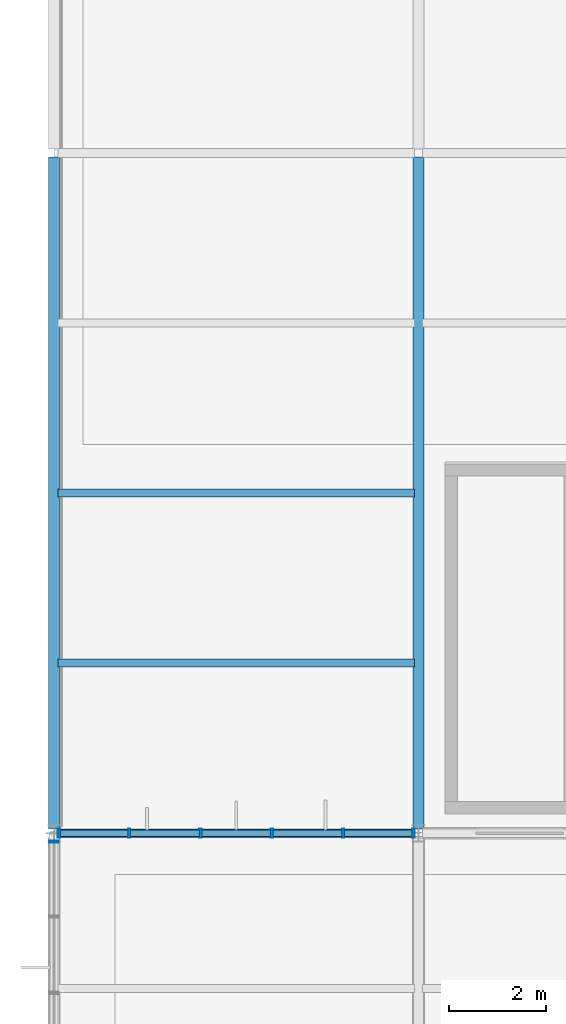
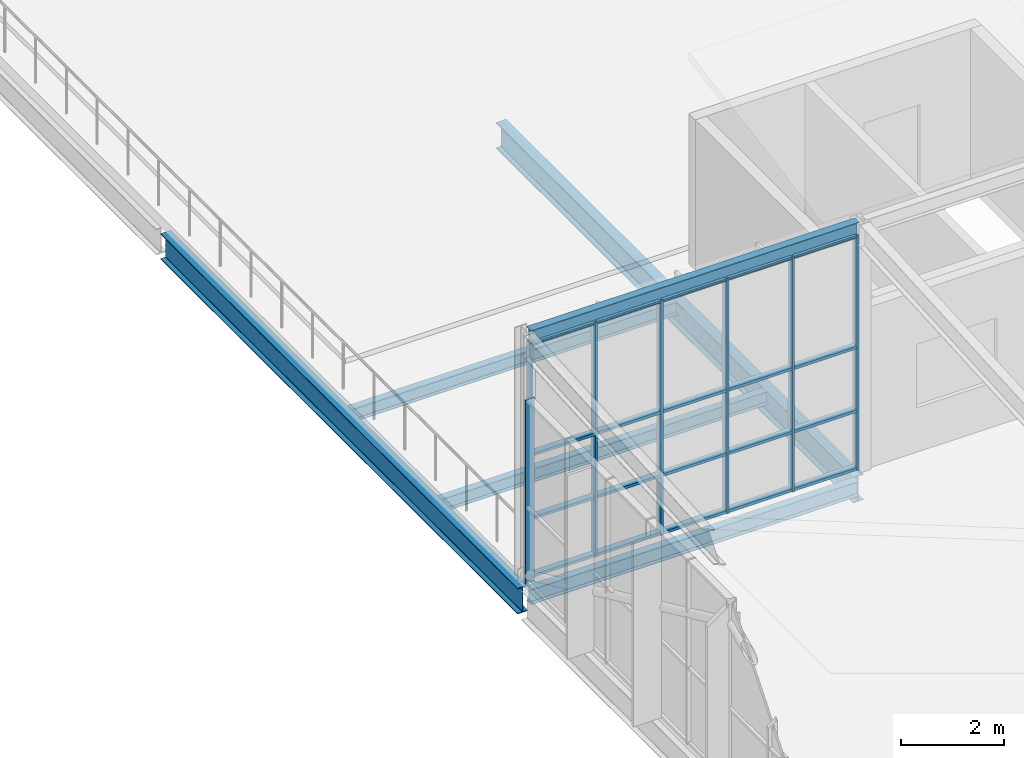
# One storey, part 18 of 104: 27 members, 6 beams, 2 elements without a shape of their own.
"""IFC4 building model written with IfcOpenShell, lengths in metres."""

from ifc_helpers import new_model, si_unit, direction, frame, origin, origin_2d, place, context, subcontext, project, spatial, hollow_rectangle, i_section, extrude, material, layer, layer_set, material_profile, profile_set, type_object, element, aggregate, save


model = new_model("IFC4")

# Units and contexts
model_context = context("Model", 3, precision=1e-05, world=origin(), true_north=direction((0.0, 1.0)))
body_context = subcontext(model_context, "Body", "Model", "MODEL_VIEW")
ifc_project = project(units=[si_unit("LENGTHUNIT", "METRE"), si_unit("AREAUNIT", "SQUARE_METRE"), si_unit("VOLUMEUNIT", "CUBIC_METRE"), si_unit("PLANEANGLEUNIT", "RADIAN"), si_unit("MASSUNIT", "GRAM", prefix="KILO")], contexts=[model_context])

# Site, building, storey
site_placement = place(None, origin())
site = spatial("IfcSite", under=ifc_project, at=site_placement, CompositionType="ELEMENT")
building_placement = place(site_placement, origin())
building = spatial("IfcBuilding", under=site, at=building_placement, Name="Solvenia Promenade Tram Depot", CompositionType="ELEMENT")
storey_placement = place(building_placement, frame((0.0, 0.0, 9.0)))
storey = spatial("IfcBuildingStorey", under=building, at=storey_placement, Name="L02", CompositionType="ELEMENT", Elevation=9.0)

# Curtain wall, members
ifc_material_1 = material(Name="Anodized aluminium AW-6063 T6", Category="aluminium")
ifc_layer_1 = layer(ifc_material_1, 0.14990234375, Name="Anodized aluminium AW-6063 T6", Category="aluminium")
ifc_layer_set_1 = layer_set([ifc_layer_1], Name="Anodized aluminium AW-6063 T6")
curtain_wall_type_1 = type_object("IfcCurtainWallType", Name="CW-Court-1500", PredefinedType="NOTDEFINED", material=ifc_layer_set_1)
curtain_wall_1_placement = place(storey_placement, origin())
curtain_wall_1 = element("IfcCurtainWall", 1, at=curtain_wall_1_placement, inside=storey, type_object=curtain_wall_type_1, Name="Curtain Wall CW-V4N-L02-01", PredefinedType="NOTDEFINED")
ifc_material_profile_1 = material_profile(ifc_material_1, hollow_rectangle(XDim=0.179931640625, YDim=0.050048828125, WallThickness=0.00390625, at=origin_2d()), Name="ALU-M2", Category="aluminium")
ifc_profile_set_1 = profile_set([ifc_material_profile_1], Name="Anodized aluminium AW-6063 T6")
member_type_1 = type_object("IfcMemberType", Name="CWM-Mullion-2", PredefinedType="MULLION", material=ifc_profile_set_1)
member_1_placement = place(storey_placement, frame((0.10498046875, 24.0, 0.0), z_axis=(0.0, 0.0, 1.0), x_axis=(0.0, 1.0, 0.0)))
member_1 = element("IfcMember", 2, at=member_1_placement, type_object=member_type_1, Name="CW-5 mullion 1", PredefinedType="MULLION", context=body_context, shape_type="SweptSolid", body=[
    extrude(hollow_rectangle(XDim=0.179931640625, YDim=0.050048828125, WallThickness=0.00390625, at=origin_2d()), origin(), (0.0, 0.0, 1.0), 5.550048828125),
])
member_2_placement = place(storey_placement, frame((1.548095703125, 24.0, 0.0), z_axis=(0.0, 0.0, 1.0), x_axis=(0.0, 1.0, 0.0)))
member_2 = element("IfcMember", 3, at=member_2_placement, type_object=member_type_1, Name="CW-5 mullion 2", PredefinedType="MULLION", context=body_context, shape_type="SweptSolid", body=[
    extrude(hollow_rectangle(XDim=0.179931640625, YDim=0.050048828125, WallThickness=0.00390625, at=origin_2d()), origin(), (0.0, 0.0, 1.0), 5.550048828125),
])
member_3_placement = place(storey_placement, frame((3.01611328125, 24.0, 0.0), z_axis=(0.0, 0.0, 1.0), x_axis=(0.0, 1.0, 0.0)))
member_3 = element("IfcMember", 4, at=member_3_placement, type_object=member_type_1, Name="CW-5 mullion 3", PredefinedType="MULLION", context=body_context, shape_type="SweptSolid", body=[
    extrude(hollow_rectangle(XDim=0.179931640625, YDim=0.050048828125, WallThickness=0.00390625, at=origin_2d()), origin(), (0.0, 0.0, 1.0), 5.550048828125),
])
member_4_placement = place(storey_placement, frame((4.48388671875, 24.0, 0.0), z_axis=(0.0, 0.0, 1.0), x_axis=(0.0, 1.0, 0.0)))
member_4 = element("IfcMember", 5, at=member_4_placement, type_object=member_type_1, Name="CW-5 mullion 4", PredefinedType="MULLION", context=body_context, shape_type="SweptSolid", body=[
    extrude(hollow_rectangle(XDim=0.179931640625, YDim=0.050048828125, WallThickness=0.00390625, at=origin_2d()), origin(), (0.0, 0.0, 1.0), 5.550048828125),
])
member_5_placement = place(storey_placement, frame((5.951904296875, 24.0, 0.0), z_axis=(0.0, 0.0, 1.0), x_axis=(0.0, 1.0, 0.0)))
member_5 = element("IfcMember", 6, at=member_5_placement, type_object=member_type_1, Name="CW-5 mullion 5", PredefinedType="MULLION", context=body_context, shape_type="SweptSolid", body=[
    extrude(hollow_rectangle(XDim=0.179931640625, YDim=0.050048828125, WallThickness=0.00390625, at=origin_2d()), origin(), (0.0, 0.0, 1.0), 5.550048828125),
])
member_6_placement = place(storey_placement, frame((7.39501953125, 24.0, 0.0), z_axis=(0.0, 0.0, 1.0), x_axis=(0.0, 1.0, 0.0)))
member_6 = element("IfcMember", 7, at=member_6_placement, type_object=member_type_1, Name="CW-5 mullion 6", PredefinedType="MULLION", context=body_context, shape_type="SweptSolid", body=[
    extrude(hollow_rectangle(XDim=0.179931640625, YDim=0.050048828125, WallThickness=0.00390625, at=origin_2d()), origin(), (0.0, 0.0, 1.0), 5.550048828125),
])

# Curtain wall, member
ifc_layer_2 = layer(ifc_material_1, 0.179931640625, Name="Anodized aluminium AW-6063 T6", Category="aluminium")
ifc_layer_set_2 = layer_set([ifc_layer_2], Name="Anodized aluminium AW-6063 T6")
curtain_wall_type_2 = type_object("IfcCurtainWallType", Name="CW-Solar-1500", PredefinedType="NOTDEFINED", material=ifc_layer_set_2)
curtain_wall_2_placement = place(storey_placement, origin())
curtain_wall_2 = element("IfcCurtainWall", 8, at=curtain_wall_2_placement, inside=storey, type_object=curtain_wall_type_2, Name="Curtain Wall CW-V4W-L02", PredefinedType="NOTDEFINED")
ifc_material_profile_2 = material_profile(ifc_material_1, hollow_rectangle(XDim=0.199951171875, YDim=0.048095703125, WallThickness=0.00390625, at=origin_2d()), Name="ALU-M3", Category="aluminium")
ifc_profile_set_2 = profile_set([ifc_material_profile_2], Name="Anodized aluminium AW-6063 T6")
member_type_2 = type_object("IfcMemberType", Name="CWM-Mullion-3", PredefinedType="MULLION", material=ifc_profile_set_2)
member_7_placement = place(storey_placement, frame((0.0, 23.825927734375, 0.0), z_axis=(0.0, 0.0, 1.0), x_axis=(-1.0, 0.0, 0.0)))
member_7 = element("IfcMember", 9, at=member_7_placement, type_object=member_type_2, Name="CW-7 mullion 11", PredefinedType="MULLION", context=body_context, shape_type="SweptSolid", body=[
    extrude(hollow_rectangle(XDim=0.199951171875, YDim=0.048095703125, WallThickness=0.00390625, at=origin_2d()), origin(), (0.0, 0.0, 1.0), 4.35009765625),
])
aggregate(curtain_wall_2, [member_7])

# Member
ifc_material_profile_3 = material_profile(ifc_material_1, hollow_rectangle(XDim=0.139892578125, YDim=0.06494140625, WallThickness=0.00390625, at=origin_2d()), Name="ALU-T2", Category="aluminium")
ifc_profile_set_3 = profile_set([ifc_material_profile_3], Name="Anodized aluminium AW-6063 T6")
member_type_3 = type_object("IfcMemberType", Name="CWT-Transom-2", PredefinedType="USERDEFINED", material=ifc_profile_set_3)
member_8_placement = place(storey_placement, frame((0.1298828125, 24.0, 0.032470703125), z_axis=(1.0, 0.0, 0.0), x_axis=(0.0, 1.0, 0.0)))
member_8 = element("IfcMember", 10, at=member_8_placement, type_object=member_type_3, Name="CW-5 transom 1.1", ObjectType="TRANSOM", PredefinedType="USERDEFINED", context=body_context, shape_type="SweptSolid", body=[
    extrude(hollow_rectangle(XDim=0.139892578125, YDim=0.06494140625, WallThickness=0.00390625, at=origin_2d()), origin(), (0.0, 0.0, 1.0), 1.39306640625),
])

member_9_placement = place(storey_placement, frame((0.1298828125, 24.0, 1.39990234375), z_axis=(1.0, 0.0, 0.0), x_axis=(0.0, 1.0, 0.0)))
member_9 = element("IfcMember", 11, at=member_9_placement, type_object=member_type_3, Name="CW-5 transom 1.2", ObjectType="TRANSOM", PredefinedType="USERDEFINED", context=body_context, shape_type="SweptSolid", body=[
    extrude(hollow_rectangle(XDim=0.139892578125, YDim=0.06494140625, WallThickness=0.00390625, at=origin_2d()), origin(), (0.0, 0.0, 1.0), 1.39306640625),
])

member_10_placement = place(storey_placement, frame((0.1298828125, 24.0, 2.89990234375), z_axis=(1.0, 0.0, 0.0), x_axis=(0.0, 1.0, 0.0)))
member_10 = element("IfcMember", 12, at=member_10_placement, type_object=member_type_3, Name="CW-5 transom 1.3", ObjectType="TRANSOM", PredefinedType="USERDEFINED", context=body_context, shape_type="SweptSolid", body=[
    extrude(hollow_rectangle(XDim=0.139892578125, YDim=0.06494140625, WallThickness=0.00390625, at=origin_2d()), origin(), (0.0, 0.0, 1.0), 1.39306640625),
])

member_11_placement = place(storey_placement, frame((0.1298828125, 24.0, 5.517578125), z_axis=(1.0, 0.0, 0.0), x_axis=(0.0, 1.0, 0.0)))
member_11 = element("IfcMember", 13, at=member_11_placement, type_object=member_type_3, Name="CW-5 transom 1.4", ObjectType="TRANSOM", PredefinedType="USERDEFINED", context=body_context, shape_type="SweptSolid", body=[
    extrude(hollow_rectangle(XDim=0.139892578125, YDim=0.06494140625, WallThickness=0.00390625, at=origin_2d()), origin(), (0.0, 0.0, 1.0), 1.39306640625),
])

member_12_placement = place(storey_placement, frame((1.572998046875, 24.0, 0.032470703125), z_axis=(1.0, 0.0, 0.0), x_axis=(0.0, 1.0, 0.0)))
member_12 = element("IfcMember", 14, at=member_12_placement, type_object=member_type_3, Name="CW-5 transom 2.1", ObjectType="TRANSOM", PredefinedType="USERDEFINED", context=body_context, shape_type="SweptSolid", body=[
    extrude(hollow_rectangle(XDim=0.139892578125, YDim=0.06494140625, WallThickness=0.00390625, at=origin_2d()), origin(), (0.0, 0.0, 1.0), 1.41796875),
])

member_13_placement = place(storey_placement, frame((1.572998046875, 24.0, 1.39990234375), z_axis=(1.0, 0.0, 0.0), x_axis=(0.0, 1.0, 0.0)))
member_13 = element("IfcMember", 15, at=member_13_placement, type_object=member_type_3, Name="CW-5 transom 2.2", ObjectType="TRANSOM", PredefinedType="USERDEFINED", context=body_context, shape_type="SweptSolid", body=[
    extrude(hollow_rectangle(XDim=0.139892578125, YDim=0.06494140625, WallThickness=0.00390625, at=origin_2d()), origin(), (0.0, 0.0, 1.0), 1.41796875),
])

member_14_placement = place(storey_placement, frame((1.572998046875, 24.0, 2.89990234375), z_axis=(1.0, 0.0, 0.0), x_axis=(0.0, 1.0, 0.0)))
member_14 = element("IfcMember", 16, at=member_14_placement, type_object=member_type_3, Name="CW-5 transom 2.3", ObjectType="TRANSOM", PredefinedType="USERDEFINED", context=body_context, shape_type="SweptSolid", body=[
    extrude(hollow_rectangle(XDim=0.139892578125, YDim=0.06494140625, WallThickness=0.00390625, at=origin_2d()), origin(), (0.0, 0.0, 1.0), 1.41796875),
])

member_15_placement = place(storey_placement, frame((1.572998046875, 24.0, 5.517578125), z_axis=(1.0, 0.0, 0.0), x_axis=(0.0, 1.0, 0.0)))
member_15 = element("IfcMember", 17, at=member_15_placement, type_object=member_type_3, Name="CW-5 transom 2.4", ObjectType="TRANSOM", PredefinedType="USERDEFINED", context=body_context, shape_type="SweptSolid", body=[
    extrude(hollow_rectangle(XDim=0.139892578125, YDim=0.06494140625, WallThickness=0.00390625, at=origin_2d()), origin(), (0.0, 0.0, 1.0), 1.41796875),
])

member_16_placement = place(storey_placement, frame((3.041015625, 24.0, 0.032470703125), z_axis=(1.0, 0.0, 0.0), x_axis=(0.0, 1.0, 0.0)))
member_16 = element("IfcMember", 18, at=member_16_placement, type_object=member_type_3, Name="CW-5 transom 3.1", ObjectType="TRANSOM", PredefinedType="USERDEFINED", context=body_context, shape_type="SweptSolid", body=[
    extrude(hollow_rectangle(XDim=0.139892578125, YDim=0.06494140625, WallThickness=0.00390625, at=origin_2d()), origin(), (0.0, 0.0, 1.0), 1.41796875),
])

member_17_placement = place(storey_placement, frame((3.041015625, 24.0, 1.39990234375), z_axis=(1.0, 0.0, 0.0), x_axis=(0.0, 1.0, 0.0)))
member_17 = element("IfcMember", 19, at=member_17_placement, type_object=member_type_3, Name="CW-5 transom 3.2", ObjectType="TRANSOM", PredefinedType="USERDEFINED", context=body_context, shape_type="SweptSolid", body=[
    extrude(hollow_rectangle(XDim=0.139892578125, YDim=0.06494140625, WallThickness=0.00390625, at=origin_2d()), origin(), (0.0, 0.0, 1.0), 1.41796875),
])

member_18_placement = place(storey_placement, frame((3.041015625, 24.0, 2.89990234375), z_axis=(1.0, 0.0, 0.0), x_axis=(0.0, 1.0, 0.0)))
member_18 = element("IfcMember", 20, at=member_18_placement, type_object=member_type_3, Name="CW-5 transom 3.3", ObjectType="TRANSOM", PredefinedType="USERDEFINED", context=body_context, shape_type="SweptSolid", body=[
    extrude(hollow_rectangle(XDim=0.139892578125, YDim=0.06494140625, WallThickness=0.00390625, at=origin_2d()), origin(), (0.0, 0.0, 1.0), 1.41796875),
])

member_19_placement = place(storey_placement, frame((3.041015625, 24.0, 5.517578125), z_axis=(1.0, 0.0, 0.0), x_axis=(0.0, 1.0, 0.0)))
member_19 = element("IfcMember", 21, at=member_19_placement, type_object=member_type_3, Name="CW-5 transom 3.4", ObjectType="TRANSOM", PredefinedType="USERDEFINED", context=body_context, shape_type="SweptSolid", body=[
    extrude(hollow_rectangle(XDim=0.139892578125, YDim=0.06494140625, WallThickness=0.00390625, at=origin_2d()), origin(), (0.0, 0.0, 1.0), 1.41796875),
])

member_20_placement = place(storey_placement, frame((4.509033203125, 24.0, 0.032470703125), z_axis=(1.0, 0.0, 0.0), x_axis=(0.0, 1.0, 0.0)))
member_20 = element("IfcMember", 22, at=member_20_placement, type_object=member_type_3, Name="CW-5 transom 4.1", ObjectType="TRANSOM", PredefinedType="USERDEFINED", context=body_context, shape_type="SweptSolid", body=[
    extrude(hollow_rectangle(XDim=0.139892578125, YDim=0.06494140625, WallThickness=0.00390625, at=origin_2d()), origin(), (0.0, 0.0, 1.0), 1.41796875),
])

member_21_placement = place(storey_placement, frame((4.509033203125, 24.0, 1.39990234375), z_axis=(1.0, 0.0, 0.0), x_axis=(0.0, 1.0, 0.0)))
member_21 = element("IfcMember", 23, at=member_21_placement, type_object=member_type_3, Name="CW-5 transom 4.2", ObjectType="TRANSOM", PredefinedType="USERDEFINED", context=body_context, shape_type="SweptSolid", body=[
    extrude(hollow_rectangle(XDim=0.139892578125, YDim=0.06494140625, WallThickness=0.00390625, at=origin_2d()), origin(), (0.0, 0.0, 1.0), 1.41796875),
])

member_22_placement = place(storey_placement, frame((4.509033203125, 24.0, 2.89990234375), z_axis=(1.0, 0.0, 0.0), x_axis=(0.0, 1.0, 0.0)))
member_22 = element("IfcMember", 24, at=member_22_placement, type_object=member_type_3, Name="CW-5 transom 4.3", ObjectType="TRANSOM", PredefinedType="USERDEFINED", context=body_context, shape_type="SweptSolid", body=[
    extrude(hollow_rectangle(XDim=0.139892578125, YDim=0.06494140625, WallThickness=0.00390625, at=origin_2d()), origin(), (0.0, 0.0, 1.0), 1.41796875),
])

member_23_placement = place(storey_placement, frame((4.509033203125, 24.0, 5.517578125), z_axis=(1.0, 0.0, 0.0), x_axis=(0.0, 1.0, 0.0)))
member_23 = element("IfcMember", 25, at=member_23_placement, type_object=member_type_3, Name="CW-5 transom 4.4", ObjectType="TRANSOM", PredefinedType="USERDEFINED", context=body_context, shape_type="SweptSolid", body=[
    extrude(hollow_rectangle(XDim=0.139892578125, YDim=0.06494140625, WallThickness=0.00390625, at=origin_2d()), origin(), (0.0, 0.0, 1.0), 1.41796875),
])

member_24_placement = place(storey_placement, frame((5.97705078125, 24.0, 0.032470703125), z_axis=(1.0, 0.0, 0.0), x_axis=(0.0, 1.0, 0.0)))
member_24 = element("IfcMember", 26, at=member_24_placement, type_object=member_type_3, Name="CW-5 transom 5.1", ObjectType="TRANSOM", PredefinedType="USERDEFINED", context=body_context, shape_type="SweptSolid", body=[
    extrude(hollow_rectangle(XDim=0.139892578125, YDim=0.06494140625, WallThickness=0.00390625, at=origin_2d()), origin(), (0.0, 0.0, 1.0), 1.39306640625),
])

member_25_placement = place(storey_placement, frame((5.97705078125, 24.0, 1.39990234375), z_axis=(1.0, 0.0, 0.0), x_axis=(0.0, 1.0, 0.0)))
member_25 = element("IfcMember", 27, at=member_25_placement, type_object=member_type_3, Name="CW-5 transom 5.2", ObjectType="TRANSOM", PredefinedType="USERDEFINED", context=body_context, shape_type="SweptSolid", body=[
    extrude(hollow_rectangle(XDim=0.139892578125, YDim=0.06494140625, WallThickness=0.00390625, at=origin_2d()), origin(), (0.0, 0.0, 1.0), 1.39306640625),
])

member_26_placement = place(storey_placement, frame((5.97705078125, 24.0, 2.89990234375), z_axis=(1.0, 0.0, 0.0), x_axis=(0.0, 1.0, 0.0)))
member_26 = element("IfcMember", 28, at=member_26_placement, type_object=member_type_3, Name="CW-5 transom 5.3", ObjectType="TRANSOM", PredefinedType="USERDEFINED", context=body_context, shape_type="SweptSolid", body=[
    extrude(hollow_rectangle(XDim=0.139892578125, YDim=0.06494140625, WallThickness=0.00390625, at=origin_2d()), origin(), (0.0, 0.0, 1.0), 1.39306640625),
])

member_27_placement = place(storey_placement, frame((5.97705078125, 24.0, 5.517578125), z_axis=(1.0, 0.0, 0.0), x_axis=(0.0, 1.0, 0.0)))
member_27 = element("IfcMember", 29, at=member_27_placement, type_object=member_type_3, Name="CW-5 transom 5.4", ObjectType="TRANSOM", PredefinedType="USERDEFINED", context=body_context, shape_type="SweptSolid", body=[
    extrude(hollow_rectangle(XDim=0.139892578125, YDim=0.06494140625, WallThickness=0.00390625, at=origin_2d()), origin(), (0.0, 0.0, 1.0), 1.39306640625),
])

aggregate(curtain_wall_1, [member_1, member_2, member_3, member_4, member_5, member_6, member_8, member_9, member_10, member_11, member_12, member_13, member_14, member_15, member_16, member_17, member_18, member_19, member_20, member_21, member_22, member_23, member_24, member_25, member_26, member_27])

# Beams
ifc_material_2 = material(Name="Structural steel ASTM A992 Gr. 50", Category="steel")
ifc_material_profile_4 = material_profile(ifc_material_2, i_section(OverallWidth=0.22900390625, OverallDepth=0.612060546875, WebThickness=0.011962890625, FlangeThickness=0.01953125, FilletRadius=0.014892578125, at=origin_2d()), Name="W610x125", Category="steel")
ifc_profile_set_4 = profile_set([ifc_material_profile_4], Name="Structural steel ASTM A992 Gr. 50")
beam_type_1 = type_object("IfcBeamType", Name="Gird-W610x125", PredefinedType="BEAM", material=ifc_profile_set_4)
for number, where, z_axis, x_axis, name in (
    (30, (0.0, 24.0849609375, -0.56591796875), (0.0, 1.0, 0.0), (-1.0, 0.0, 0.0), "Transverse Girder BM-L02-0668"),
    (31, (7.5, 24.0849609375, -0.56591796875), (0.0, 1.0, 0.0), (-1.0, 0.0, 0.0), "Transverse Girder BM-L02-0671"),
):
    element("IfcBeam", number, at=place(storey_placement, frame(where, z_axis=z_axis, x_axis=x_axis)), inside=storey, type_object=beam_type_1, Name=name, PredefinedType="BEAM", context=body_context, shape_type="SweptSolid", body=[
        extrude(i_section(OverallWidth=0.22900390625, OverallDepth=0.612060546875, WebThickness=0.011962890625, FlangeThickness=0.01953125, FilletRadius=0.014892578125, at=origin_2d()), origin(), (0.0, 0.0, 1.0), 13.830078125),
    ])
ifc_material_profile_5 = material_profile(ifc_material_2, i_section(OverallWidth=0.166015625, OverallDepth=0.31298828125, WebThickness=0.006591796875, FlangeThickness=0.01123046875, FilletRadius=0.010009765625, at=origin_2d()), Name="W310x45", Category="steel")
ifc_profile_set_5 = profile_set([ifc_material_profile_5], Name="Structural steel ASTM A992 Gr. 50")
beam_type_2 = type_object("IfcBeamType", Name="Joist-W310x45", PredefinedType="JOIST", material=ifc_profile_set_5)
for number, where, z_axis, x_axis, name in (
    (32, (0.0849609375, 27.5, -0.41650390625), (1.0, 0.0, 0.0), (0.0, 1.0, 0.0), "Secondary Floor Joist BM-L02-0689"),
    (33, (0.0849609375, 31.0, -0.41650390625), (1.0, 0.0, 0.0), (0.0, 1.0, 0.0), "Secondary Floor Joist BM-L02-0690"),
):
    element("IfcBeam", number, at=place(storey_placement, frame(where, z_axis=z_axis, x_axis=x_axis)), inside=storey, type_object=beam_type_2, Name=name, PredefinedType="JOIST", context=body_context, shape_type="SweptSolid", body=[
        extrude(i_section(OverallWidth=0.166015625, OverallDepth=0.31298828125, WebThickness=0.006591796875, FlangeThickness=0.01123046875, FilletRadius=0.010009765625, at=origin_2d()), origin(), (0.0, 0.0, 1.0), 7.330078125),
    ])
ifc_material_profile_6 = material_profile(ifc_material_2, i_section(OverallWidth=0.172119140625, OverallDepth=0.35791015625, WebThickness=0.0078125, FlangeThickness=0.01318359375, FilletRadius=0.010986328125, at=origin_2d()), Name="W360x57", Category="steel")
ifc_profile_set_6 = profile_set([ifc_material_profile_6], Name="Structural steel ASTM A992 Gr. 50")
beam_type_3 = type_object("IfcBeamType", Name="Spandrel-W360x57", PredefinedType="SPANDREL", material=ifc_profile_set_6)
for number, where, z_axis, x_axis, name in (
    (34, (0.0849609375, 24.0, -0.43896484375), (1.0, 0.0, 0.0), (0.0, 1.0, 0.0), "Perimeter Spandrel BM-L02-0536"),
    (35, (0.0849609375, 24.0, 5.680908203125), (1.0, 0.0, 0.0), (0.0, 1.0, 0.0), "Folded Wing Roof Eave Beam BM-L02-0860"),
):
    element("IfcBeam", number, at=place(storey_placement, frame(where, z_axis=z_axis, x_axis=x_axis)), inside=storey, type_object=beam_type_3, Name=name, PredefinedType="SPANDREL", context=body_context, shape_type="SweptSolid", body=[
        extrude(i_section(OverallWidth=0.172119140625, OverallDepth=0.35791015625, WebThickness=0.0078125, FlangeThickness=0.01318359375, FilletRadius=0.010986328125, at=origin_2d()), origin(), (0.0, 0.0, 1.0), 7.330078125),
    ])

save(model, "model.ifc")
